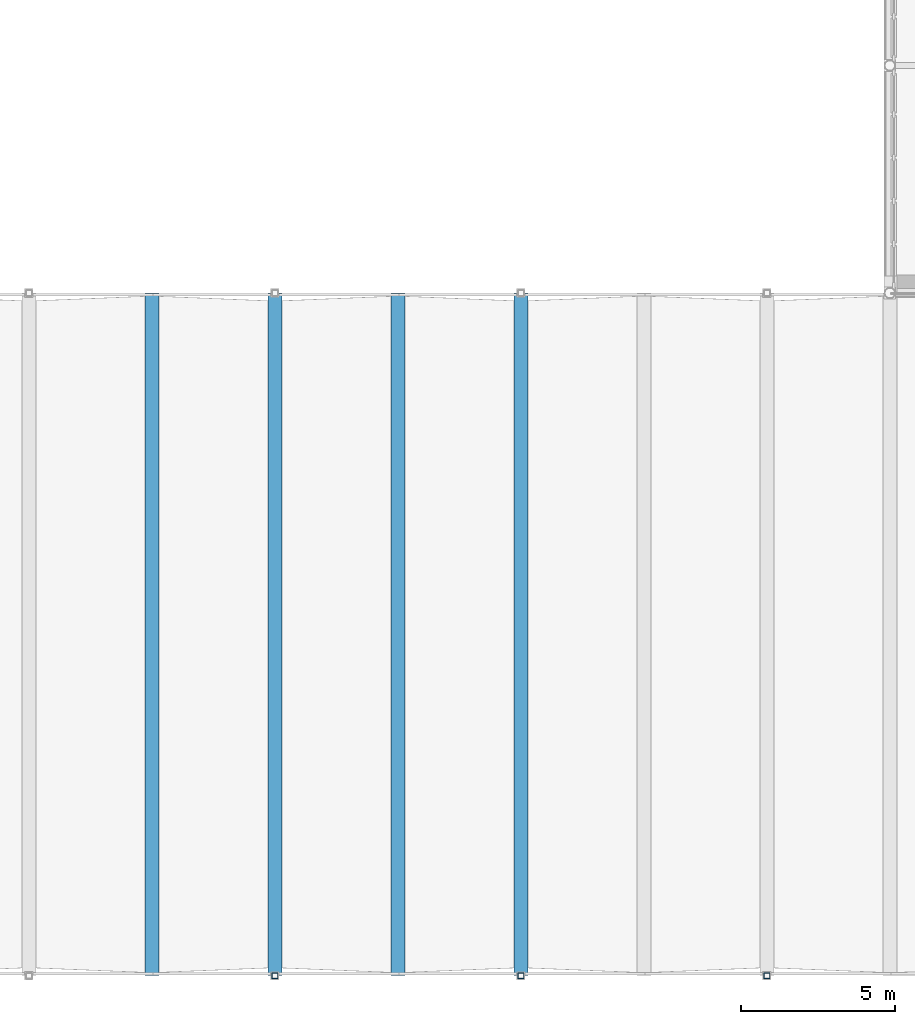
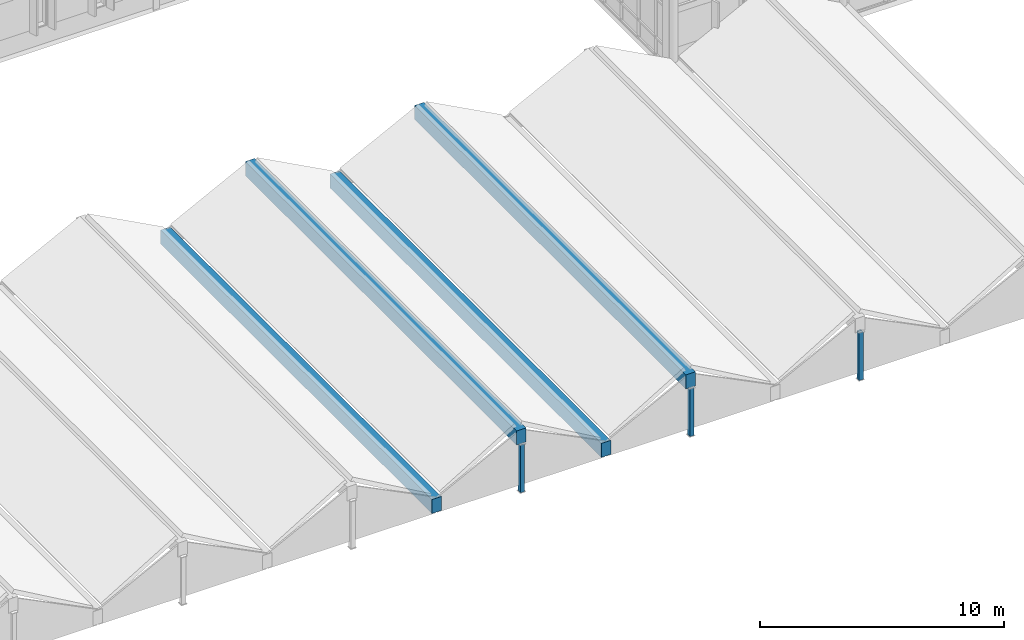
# One storey, part 13 of 63: 4 beams, 3 members.
"""IFC4 building model written with IfcOpenShell, lengths in metres."""

import ifcopenshell
import ifcopenshell.guid

model = None  # the IFC model being written
_history = None  # IfcOwnerHistory: only IFC2X3 demands one
_inside = {}  # id of a spatial element -> (the spatial element, [elements in it])
_under = {}  # id of a project, library or spatial element -> (it, [spatial elements below it])
_declared = {}  # id of a project -> (the project, [libraries it declares])
_typed = {}  # id of a type object -> (the type object, [elements of that type])
_made_of = {}  # id of a material, layer set ... -> (it, [elements and type objects made of it])


def new_model(schema):
    """Start an empty IFC model of exactly this schema.

    Asked for "IFC4X3", IfcOpenShell would pick the latest addendum, in which some entities
    have other attributes; the version numbers below select the first issue.
    IFC2X3 requires an IfcOwnerHistory on every rooted entity: one is made here for all.
    """
    global model, _history
    if schema == "IFC4X3":
        model = ifcopenshell.file(schema_version=(4, 3, 0, 0))
    else:
        model = ifcopenshell.file(schema=schema)
    _inside.clear()
    _under.clear()
    _declared.clear()
    _typed.clear()
    _made_of.clear()
    _history = None
    if model.schema == "IFC2X3":
        org = make("IfcOrganization", Name="unknown")
        user = make(
            "IfcPersonAndOrganization",
            ThePerson=make("IfcPerson", FamilyName="unknown"),
            TheOrganization=org,
        )
        app = make(
            "IfcApplication",
            ApplicationDeveloper=org,
            Version="unknown",
            ApplicationFullName="unknown",
            ApplicationIdentifier="unknown",
        )
        _history = make(
            "IfcOwnerHistory",
            OwningUser=user,
            OwningApplication=app,
            ChangeAction="ADDED",
            CreationDate=0,
        )
    return model


def make(cls, **values):
    """One entity of the class cls with the attributes given. An attribute that is None is left unset."""
    return model.create_entity(
        cls, **{name: value for name, value in values.items() if value is not None}
    )


def rooted(cls, **values):
    """An entity with a GlobalId (a new one), such as an element, a storey or a relation."""
    return make(cls, GlobalId=ifcopenshell.guid.new(), OwnerHistory=_history, **values)


def si_unit(unit_type, name, prefix=None):
    """IfcSIUnit, for example si_unit("LENGTHUNIT", "METRE", prefix="MILLI")."""
    return make("IfcSIUnit", UnitType=unit_type, Prefix=prefix, Name=name)


def assignment(units):
    """IfcUnitAssignment: the units of a project."""
    return None if units is None else make("IfcUnitAssignment", Units=units)


def point(xyz):
    """IfcCartesianPoint."""
    return None if xyz is None else make("IfcCartesianPoint", Coordinates=xyz)


def direction(xyz):
    """IfcDirection."""
    return None if xyz is None else make("IfcDirection", DirectionRatios=xyz)


def frame(location, z_axis=None, x_axis=None):
    """IfcAxis2Placement3D, a coordinate frame: its origin and axes. An axis left out is left unset."""
    return make(
        "IfcAxis2Placement3D",
        Location=point(location),
        Axis=direction(z_axis),
        RefDirection=direction(x_axis),
    )


def frame_2d(location, x_axis=None):
    """IfcAxis2Placement2D, a coordinate frame in the plane: its origin and x axis."""
    return make(
        "IfcAxis2Placement2D", Location=point(location), RefDirection=direction(x_axis)
    )


def origin():
    """The frame at (0, 0, 0) with its axes left unset."""
    return frame((0.0, 0.0, 0.0))


def origin_2d():
    """The frame at (0, 0) in the plane with its x axis left unset."""
    return frame_2d((0.0, 0.0))


def place(relative_to, where):
    """IfcLocalPlacement: puts the frame where relative to a parent placement (None: the world)."""
    return make(
        "IfcLocalPlacement", PlacementRelTo=relative_to, RelativePlacement=where
    )


def context(
    kind, dimensions, precision=None, world=None, true_north=None, identifier=None
):
    """IfcGeometricRepresentationContext, for example the 3D "Model" context."""
    return make(
        "IfcGeometricRepresentationContext",
        ContextIdentifier=identifier,
        ContextType=kind,
        CoordinateSpaceDimension=dimensions,
        Precision=precision,
        WorldCoordinateSystem=world,
        TrueNorth=true_north,
    )


def subcontext(parent, identifier, kind, view, scale=None):
    """IfcGeometricRepresentationSubContext, for example "Body" below "Model"."""
    return make(
        "IfcGeometricRepresentationSubContext",
        ContextIdentifier=identifier,
        ContextType=kind,
        ParentContext=parent,
        TargetScale=scale,
        TargetView=view,
    )


def project(units=None, contexts=None):
    """IfcProject with its units and contexts."""
    return rooted(
        "IfcProject",
        Name="project",
        RepresentationContexts=contexts,
        UnitsInContext=assignment(units),
    )


def spatial(cls, under=None, at=None, **own):
    """A site, building, storey or space (cls), placed at a placement, below another one or the project."""
    s = rooted(cls, ObjectPlacement=at, **own)
    if under is not None:
        _under.setdefault(under.id(), (under, []))[1].append(s)
    return s


def profile(cls, at=None, kind="AREA", **sizes):
    """A parametric profile (cls). Its sizes go by their IFC names, for example OverallWidth=200.0."""
    return make(cls, ProfileType=kind, Position=at, **sizes)


def rectangle(**sizes):
    """IfcRectangleProfileDef."""
    return profile("IfcRectangleProfileDef", **sizes)


def hollow_rectangle(**sizes):
    """IfcRectangleHollowProfileDef."""
    return profile("IfcRectangleHollowProfileDef", **sizes)


def extrude(swept, where, along, depth):
    """IfcExtrudedAreaSolid: the profile swept, set in the frame where, extruded along a direction by depth."""
    return make(
        "IfcExtrudedAreaSolid",
        SweptArea=swept,
        Position=where,
        ExtrudedDirection=direction(along),
        Depth=depth,
    )


def shape(context_of_items, identifier, shape_type, items):
    """IfcShapeRepresentation: the items that make up one representation, for example the "Body"."""
    return make(
        "IfcShapeRepresentation",
        ContextOfItems=context_of_items,
        RepresentationIdentifier=identifier,
        RepresentationType=shape_type,
        Items=items,
    )


def material(Name=None, Category=None):
    """IfcMaterial."""
    return make("IfcMaterial", Name=Name, Category=Category)


def material_profile(
    of_material, cross_section, Name=None, Category=None, Priority=None
):
    """IfcMaterialProfile: a cross section and its material."""
    return make(
        "IfcMaterialProfile",
        Name=Name,
        Material=of_material,
        Profile=cross_section,
        Priority=Priority,
        Category=Category,
    )


def profile_set(profiles, Name=None, composite=None):
    """IfcMaterialProfileSet."""
    return make(
        "IfcMaterialProfileSet",
        Name=Name,
        MaterialProfiles=profiles,
        CompositeProfile=composite,
    )


def made_of(thing, what):
    """Note that an element or type object is made of a material, layer set ...; save() writes the relation."""
    if what is not None:
        _made_of.setdefault(what.id(), (what, []))[1].append(thing)
    return thing


def type_object(cls, material=None, **own):
    """A type object (cls), such as IfcWallType, which elements share."""
    return made_of(rooted(cls, **own), material)


def element(
    cls,
    number,
    at=None,
    inside=None,
    cuts=None,
    type_object=None,
    material=None,
    context=None,
    identifier="Body",
    shape_type=None,
    held_by="IfcProductDefinitionShape",
    body=None,
    shapes=None,
    **own,
):
    """One element of the class cls, such as IfcWall. Its Tag is "e" and its number.

    at: its placement. inside: the storey or other place that contains it. cuts: it is an
    opening in that element (IfcRelVoidsElement). A single representation is given by context,
    identifier, shape_type and body (its items); several are given by shapes. held_by: the class
    of the entity that holds the representations. save() writes the other relations.
    """
    e = rooted(cls, Tag="e%d" % number, ObjectPlacement=at, **own)
    if body is not None:
        shapes = [shape(context, identifier, shape_type, body)]
    if shapes is not None:
        e.Representation = make(held_by, Representations=shapes)
    if inside is not None:
        _inside.setdefault(inside.id(), (inside, []))[1].append(e)
    if cuts is not None:
        rooted(
            "IfcRelVoidsElement", RelatingBuildingElement=cuts, RelatedOpeningElement=e
        )
    if type_object is not None:
        _typed.setdefault(type_object.id(), (type_object, []))[1].append(e)
    return made_of(e, material)


def aggregate(whole, parts):
    """IfcRelAggregates: a whole, such as a stair, and the parts it consists of."""
    return rooted("IfcRelAggregates", RelatingObject=whole, RelatedObjects=parts)


def save(model, path):
    """Write the relations noted so far, then the file.

    IfcRelAggregates (storeys below a building ...), IfcRelContainedInSpatialStructure (elements
    in a storey), IfcRelDefinesByType, IfcRelAssociatesMaterial and IfcRelDeclares: one each for
    every whole, place, type object, material and project.
    """
    for whole, parts in _under.values():
        aggregate(whole, parts)
    for where, things in _inside.values():
        rooted(
            "IfcRelContainedInSpatialStructure",
            RelatedElements=things,
            RelatingStructure=where,
        )
    for kind, things in _typed.values():
        rooted("IfcRelDefinesByType", RelatedObjects=things, RelatingType=kind)
    for what, things in _made_of.values():
        rooted("IfcRelAssociatesMaterial", RelatedObjects=things, RelatingMaterial=what)
    for by, libraries in _declared.values():
        rooted("IfcRelDeclares", RelatingContext=by, RelatedDefinitions=libraries)
    model.write(path)


model = new_model("IFC4")

# Units and contexts
model_context = context("Model", 3, precision=1e-05, world=origin(), true_north=direction((0.0, 1.0)))
body_context = subcontext(model_context, "Body", "Model", "MODEL_VIEW")
ifc_project = project(units=[si_unit("LENGTHUNIT", "METRE"), si_unit("AREAUNIT", "SQUARE_METRE"), si_unit("VOLUMEUNIT", "CUBIC_METRE"), si_unit("PLANEANGLEUNIT", "RADIAN"), si_unit("MASSUNIT", "GRAM", prefix="KILO")], contexts=[model_context])

# Site, building, storey
site_placement = place(None, origin())
site = spatial("IfcSite", under=ifc_project, at=site_placement, CompositionType="ELEMENT")
building_placement = place(site_placement, origin())
building = spatial("IfcBuilding", under=site, at=building_placement, Name="Valkorina Park Police Headquarters", CompositionType="ELEMENT")
storey_placement = place(building_placement, frame((0.0, 0.0, 9.89990234375)))
storey = spatial("IfcBuildingStorey", under=building, at=storey_placement, Name="L03", CompositionType="ELEMENT", Elevation=9.89990234375)

# Beams
ifc_material_1 = material(Name="Concrete C40/50", Category="concrete")
ifc_material_profile_1 = material_profile(ifc_material_1, rectangle(XDim=0.449951171875, YDim=0.699951171875, at=origin_2d()), Name="RC RIDGE 450x700")
ifc_profile_set_1 = profile_set([ifc_material_profile_1], Name="Concrete C40/50")
beam_type = type_object("IfcBeamType", Name="BM-RC-RIDGE-EXT", PredefinedType="BEAM", material=ifc_profile_set_1)
for number, where, z_axis, x_axis, name in (
    (1, (36.800048828125, 0.0, 2.37060546875), (0.0, 1.0, 0.0), (-1.0, 0.0, 0.0), "V1 Folded-Plate Ridge Beam 4"),
    (2, (32.800048828125, 0.0, 0.35009765625), (0.0, 1.0, 0.0), (-1.0, 0.0, 0.0), "V1 Folded-Plate Valley Beam 4.1"),
    (3, (44.800048828125, 0.0, 2.37060546875), (0.0, 1.0, 0.0), (-1.0, 0.0, 0.0), "V1 Folded-Plate Ridge Beam 5"),
    (4, (40.800048828125, 0.0, 0.35009765625), (0.0, 1.0, 0.0), (-1.0, 0.0, 0.0), "V1 Folded-Plate Valley Beam 5.1"),
):
    element("IfcBeam", number, at=place(storey_placement, frame(where, z_axis=z_axis, x_axis=x_axis)), inside=storey, type_object=beam_type, Name=name, PredefinedType="BEAM", context=body_context, shape_type="SweptSolid", body=[
        extrude(rectangle(XDim=0.449951171875, YDim=0.699951171875, at=origin_2d()), origin(), (0.0, 0.0, 1.0), 22.199951171875),
    ])

# Members
ifc_material_2 = material(Name="Steel S355", Category="steel")
ifc_material_profile_2 = material_profile(ifc_material_2, hollow_rectangle(XDim=0.199951171875, YDim=0.199951171875, WallThickness=0.012451171875, at=origin_2d()), Name="SHS 200x200x12.5")
ifc_profile_set_2 = profile_set([ifc_material_profile_2], Name="Steel S355")
member_type = type_object("IfcMemberType", Name="MB-S355-SHS200-GABLE", PredefinedType="BRACE", material=ifc_profile_set_2)
for number, where, z_axis, x_axis, name in (
    (5, (36.800048828125, 0.0, -0.349853515625), (0.0, 0.0, 1.0), (1.0, 0.0, 0.0), "V1 Gable Ridge Strut 4S"),
    (6, (44.800048828125, 0.0, -0.349853515625), (0.0, 0.0, 1.0), (1.0, 0.0, 0.0), "V1 Gable Ridge Strut 5S"),
    (7, (52.800048828125, 0.0, -0.349853515625), (0.0, 0.0, 1.0), (1.0, 0.0, 0.0), "V1 Gable Ridge Strut 6S"),
):
    element("IfcMember", number, at=place(storey_placement, frame(where, z_axis=z_axis, x_axis=x_axis)), inside=storey, type_object=member_type, Name=name, PredefinedType="BRACE", context=body_context, shape_type="SweptSolid", body=[
        extrude(hollow_rectangle(XDim=0.199951171875, YDim=0.199951171875, WallThickness=0.012451171875, at=origin_2d()), origin(), (0.0, 0.0, 1.0), 2.390380859375),
    ])

save(model, "model.ifc")
